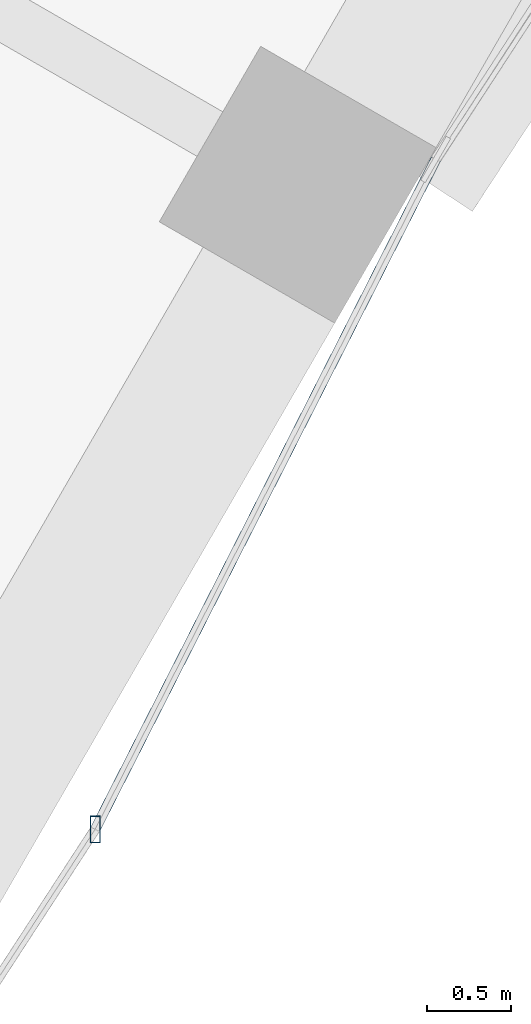
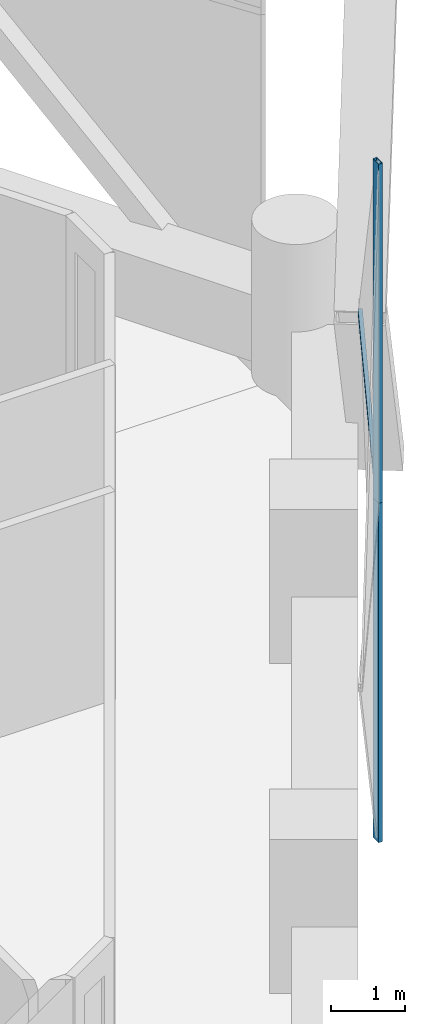
# One storey, part 6 of 17: 3 members, 2 elements without a shape of their own.
"""IFC4 building model written with IfcOpenShell, lengths in metres."""

from ifc_helpers import new_model, si_unit, direction, frame, origin, origin_2d, place, context, subcontext, project, spatial, hollow_rectangle, extrude, material, material_profile, profile_set, type_object, element, aggregate, save


model = new_model("IFC4")

# Units and contexts
model_context = context("Model", 3, precision=1e-05, world=origin(), true_north=direction((0.0, 1.0)))
body_context = subcontext(model_context, "Body", "Model", "MODEL_VIEW")
ifc_project = project(units=[si_unit("LENGTHUNIT", "METRE"), si_unit("AREAUNIT", "SQUARE_METRE"), si_unit("VOLUMEUNIT", "CUBIC_METRE"), si_unit("PLANEANGLEUNIT", "RADIAN"), si_unit("MASSUNIT", "GRAM", prefix="KILO")], contexts=[model_context])

# Site, building, storey
site_placement = place(None, origin())
site = spatial("IfcSite", under=ifc_project, at=site_placement, CompositionType="ELEMENT")
building_placement = place(site_placement, origin())
building = spatial("IfcBuilding", under=site, at=building_placement, Name="Ostrander Bayou Hotel Tower", CompositionType="ELEMENT")
storey_placement = place(building_placement, frame((0.0, 0.0, 127.25)))
storey = spatial("IfcBuildingStorey", under=building, at=storey_placement, Name="L31", CompositionType="ELEMENT", Elevation=127.25)

# Curtain wall, members
ifc_material_1 = material(Name="Aluminium and clear glass", Category="aluminium")
curtain_wall_type = type_object("IfcCurtainWallType", Name="CW-LAT lattice glazing", PredefinedType="NOTDEFINED", material=ifc_material_1)
curtain_wall_1_placement = place(storey_placement, origin())
curtain_wall_1 = element("IfcCurtainWall", 1, at=curtain_wall_1_placement, inside=storey, type_object=curtain_wall_type, Name="CW-LAT L31 SE 1", PredefinedType="NOTDEFINED")
ifc_material_2 = material(Name="Aluminium", Category="aluminium")
ifc_material_profile_1 = material_profile(ifc_material_2, hollow_rectangle(XDim=0.06005859375, YDim=0.159912109375, WallThickness=0.00390625, at=origin_2d()))
ifc_profile_set_1 = profile_set([ifc_material_profile_1], Name="Aluminium")
member_type_1 = type_object("IfcMemberType", Name="CW-LA mullion 60 x 160 mm", PredefinedType="MULLION", material=ifc_profile_set_1)
member_1_placement = place(storey_placement, frame((17.814208984375, -10.284912109375, -0.60009765625), z_axis=(0.0, 0.0, 1.0), x_axis=(1.0, 0.0, 0.0)))
member_1 = element("IfcMember", 2, at=member_1_placement, type_object=member_type_1, Name="CW-LAT mullion 1", PredefinedType="MULLION", context=body_context, shape_type="SweptSolid", body=[
    extrude(hollow_rectangle(XDim=0.06005859375, YDim=0.159912109375, WallThickness=0.00390625, at=origin_2d()), origin(), (0.0, 0.0, 1.0), 5.625),
])
member_2_placement = place(storey_placement, frame((17.814208984375, -10.284912109375, 5.02490234375), z_axis=(0.0, 0.0, 1.0), x_axis=(1.0, 0.0, 0.0)))
member_2 = element("IfcMember", 3, at=member_2_placement, type_object=member_type_1, Name="CW-LAT mullion 2", PredefinedType="MULLION", context=body_context, shape_type="SweptSolid", body=[
    extrude(hollow_rectangle(XDim=0.06005859375, YDim=0.159912109375, WallThickness=0.00390625, at=origin_2d()), origin(), (0.0, 0.0, 1.0), 5.625),
])
aggregate(curtain_wall_1, [member_1, member_2])

# Curtain wall, member
curtain_wall_2_placement = place(storey_placement, origin())
curtain_wall_2 = element("IfcCurtainWall", 4, at=curtain_wall_2_placement, inside=storey, type_object=curtain_wall_type, Name="CW-LAT L31 SE 2", PredefinedType="NOTDEFINED")
ifc_material_3 = material(Name="Aluminium", Category="aluminium")
ifc_material_profile_2 = material_profile(ifc_material_3, hollow_rectangle(XDim=0.06005859375, YDim=0.1201171875, WallThickness=0.00390625, at=origin_2d()))
ifc_profile_set_2 = profile_set([ifc_material_profile_2], Name="Aluminium")
member_type_2 = type_object("IfcMemberType", Name="CW-LA transom 60 x 120 mm", PredefinedType="USERDEFINED", material=ifc_profile_set_2)
member_3_placement = place(storey_placement, frame((17.814208984375, -10.284912109375, 5.02490234375), z_axis=(0.453236335854, 0.891390388024, 0.0), x_axis=(-0.891390388024, 0.453236335854, 0.0)))
member_3 = element("IfcMember", 5, at=member_3_placement, type_object=member_type_2, Name="CW-LAT transom 4", ObjectType="TRANSOM", PredefinedType="USERDEFINED", context=body_context, shape_type="SweptSolid", body=[
    extrude(hollow_rectangle(XDim=0.06005859375, YDim=0.1201171875, WallThickness=0.00390625, at=origin_2d()), origin(), (0.0, 0.0, 1.0), 4.451416015625),
])
aggregate(curtain_wall_2, [member_3])

save(model, "model.ifc")
